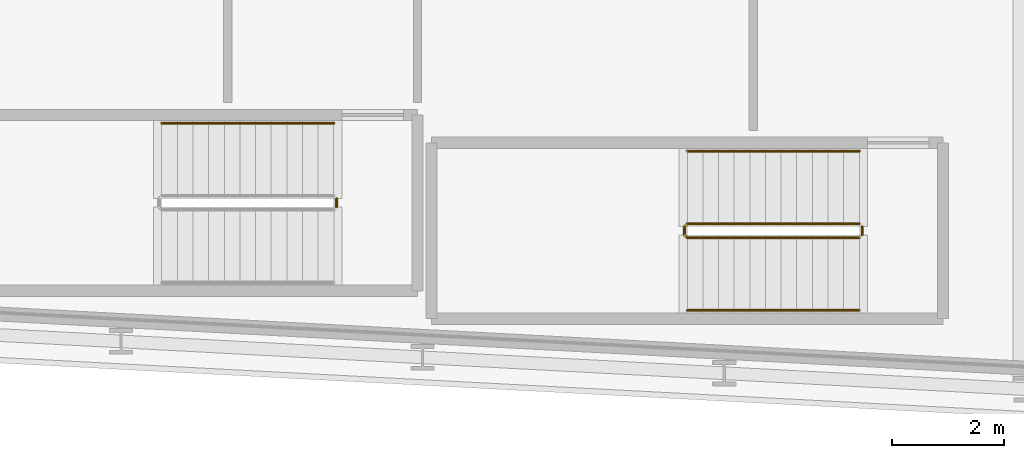
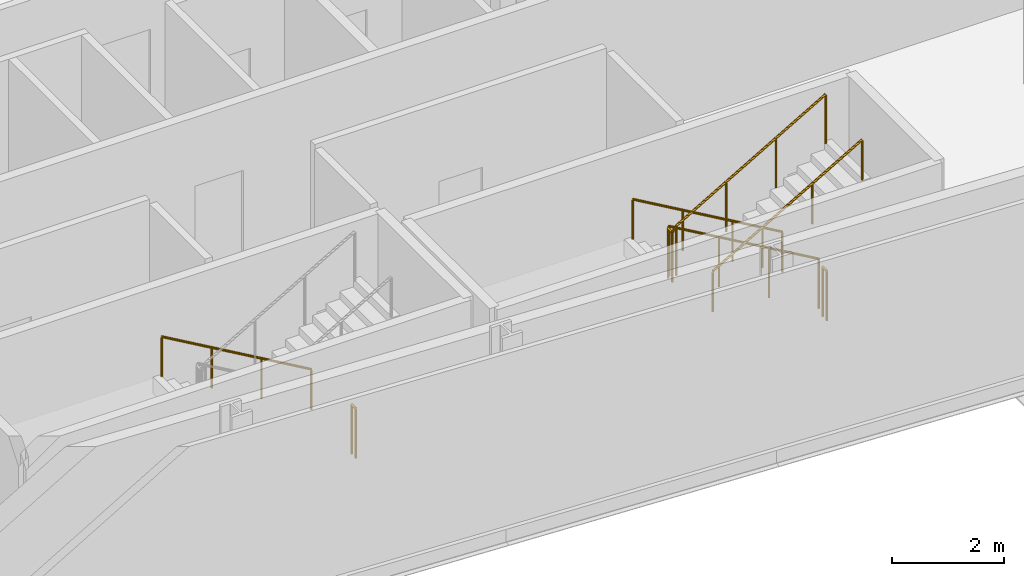
# One storey, part 25 of 28: 6 railings.
"""IFC4 building model written with IfcOpenShell, lengths in metres."""

from ifc_helpers import new_model, si_unit, direction, frame, origin, origin_2d, place, context, subcontext, project, spatial, circle, extrude, material, type_object, element, save


model = new_model("IFC4")

# Units and contexts
model_context = context("Model", 3, precision=1e-05, world=origin(), true_north=direction((0.0, 1.0)))
body_context = subcontext(model_context, "Body", "Model", "MODEL_VIEW")
ifc_project = project(units=[si_unit("LENGTHUNIT", "METRE"), si_unit("AREAUNIT", "SQUARE_METRE"), si_unit("VOLUMEUNIT", "CUBIC_METRE"), si_unit("PLANEANGLEUNIT", "RADIAN"), si_unit("MASSUNIT", "GRAM", prefix="KILO")], contexts=[model_context])

# Site, building, storey
site_placement = place(None, origin())
site = spatial("IfcSite", under=ifc_project, at=site_placement, CompositionType="ELEMENT")
building_placement = place(site_placement, origin())
building = spatial("IfcBuilding", under=site, at=building_placement, Name="Kheshtan School and Residences Tower", CompositionType="ELEMENT")
storey_placement = place(building_placement, frame((0.0, 0.0, 140.89990234375)))
storey = spatial("IfcBuildingStorey", under=building, at=storey_placement, Name="L33", CompositionType="ELEMENT", Elevation=140.89990234375)

# Railings
ifc_material_1 = material(Name="Stainless steel balustrade", Category="steel")
railing_type_1 = type_object("IfcRailingType", Name="Stair guard 1100", PredefinedType="GUARDRAIL", material=ifc_material_1)
railing_1_placement = place(storey_placement, frame((87.820068359375, 23.949951171875, 0.16259765625)))
element("IfcRailing", 1, at=railing_1_placement, inside=storey, type_object=railing_type_1, Name="L33 ST4 stair guard 1", PredefinedType="GUARDRAIL", context=body_context, shape_type="SweptSolid", body=[
    extrude(circle(Radius=0.02392578125, at=origin_2d()), frame((0.0, 0.0, 1.076171875), z_axis=(-0.864890721111, 0.0, 0.501960198159), x_axis=(0.0, -1.0, 0.0)), (0.0, 0.0, 1.0), 3.561279296875),
    extrude(circle(Radius=0.02392578125, at=origin_2d()), frame((-3.080078125, 0.0, 2.86376953125), z_axis=(-0.707106781187, -0.707106781187, 0.0), x_axis=(0.707106781187, -0.707106781187, 0.0)), (0.0, 0.0, 1.0), 0.07080078125),
    extrude(circle(Radius=0.02392578125, at=origin_2d()), frame((-3.130126953125, -0.050048828125, 2.86376953125), z_axis=(0.0, -1.0, 0.0), x_axis=(1.0, 0.0, 0.0)), (0.0, 0.0, 1.0), 0.14990234375),
    extrude(circle(Radius=0.02392578125, at=origin_2d()), frame((-3.130126953125, -0.199951171875, 2.86376953125), z_axis=(0.282583949758, -0.282583949758, 0.916674763849), x_axis=(0.707106781187, 0.707106781187, 0.0)), (0.0, 0.0, 1.0), 0.177001953125),
    extrude(circle(Radius=0.02392578125, at=origin_2d()), frame((-3.080078125, -0.25, 3.02587890625), z_axis=(0.864890721111, 0.0, 0.501960198159), x_axis=(0.0, 1.0, 0.0)), (0.0, 0.0, 1.0), 3.561279296875),
    extrude(circle(Radius=0.02099609375, at=origin_2d()), origin(), (0.0, 0.0, 1.0), 1.052001953125),
    extrude(circle(Radius=0.02099609375, at=origin_2d()), frame((-1.026611328125, 0.0, 0.595947265625)), (0.0, 0.0, 1.0), 1.052001953125),
    extrude(circle(Radius=0.02099609375, at=origin_2d()), frame((-2.053466796875, 0.0, 1.191650390625)), (0.0, 0.0, 1.0), 1.052001953125),
    extrude(circle(Radius=0.02099609375, at=origin_2d()), frame((-3.080078125, 0.0, 1.78759765625)), (0.0, 0.0, 1.0), 1.052001953125),
    extrude(circle(Radius=0.02099609375, at=origin_2d()), frame((-3.130126953125, -0.050048828125, 1.78759765625)), (0.0, 0.0, 1.0), 1.052001953125),
    extrude(circle(Radius=0.02099609375, at=origin_2d()), frame((-3.130126953125, -0.199951171875, 1.78759765625)), (0.0, 0.0, 1.0), 1.052001953125),
    extrude(circle(Radius=0.02099609375, at=origin_2d()), frame((-3.080078125, -0.25, 1.949951171875)), (0.0, 0.0, 1.0), 1.052001953125),
    extrude(circle(Radius=0.02099609375, at=origin_2d()), frame((-2.053466796875, -0.25, 2.5458984375)), (0.0, 0.0, 1.0), 1.052001953125),
    extrude(circle(Radius=0.02099609375, at=origin_2d()), frame((-1.026611328125, -0.25, 3.1416015625)), (0.0, 0.0, 1.0), 1.052001953125),
    extrude(circle(Radius=0.02099609375, at=origin_2d()), frame((0.0, -0.25, 3.737548828125)), (0.0, 0.0, 1.0), 1.052001953125),
])
for number, where, name in (
    (2, (87.8701171875, 23.89990234375, 0.0), "L33 ST4 stair guard 2"),
    (3, (78.4599609375, 24.39990234375, 0.0), "L33 ST5 stair guard 2"),
):
    element("IfcRailing", number, at=place(storey_placement, frame(where)), inside=storey, type_object=railing_type_1, Name=name, PredefinedType="GUARDRAIL", context=body_context, shape_type="SweptSolid", body=[
        extrude(circle(Radius=0.02392578125, at=origin_2d()), frame((0.0, 0.0, 1.076171875), z_axis=(0.0, -1.0, 0.0), x_axis=(1.0, 0.0, 0.0)), (0.0, 0.0, 1.0), 0.14990234375),
        extrude(circle(Radius=0.02099609375, at=origin_2d()), origin(), (0.0, 0.0, 1.0), 1.052001953125),
        extrude(circle(Radius=0.02099609375, at=origin_2d()), frame((0.0, -0.14990234375, 0.0)), (0.0, 0.0, 1.0), 1.052001953125),
    ])
ifc_material_2 = material(Name="Stainless steel handrail", Category="steel")
railing_type_2 = type_object("IfcRailingType", Name="Stair handrail 900", PredefinedType="HANDRAIL", material=ifc_material_2)
railing_2_placement = place(storey_placement, frame((87.820068359375, 25.25, 0.16259765625)))
element("IfcRailing", 4, at=railing_2_placement, inside=storey, type_object=railing_type_2, Name="L33 ST4 stair handrail 1", PredefinedType="HANDRAIL", context=body_context, shape_type="SweptSolid", body=[
    extrude(circle(Radius=0.02392578125, at=origin_2d()), frame((0.0, 0.0, 0.8759765625), z_axis=(-0.864890721111, 0.0, 0.501960198159), x_axis=(0.0, -1.0, 0.0)), (0.0, 0.0, 1.0), 3.561279296875),
    extrude(circle(Radius=0.02099609375, at=origin_2d()), origin(), (0.0, 0.0, 1.0), 0.851806640625),
    extrude(circle(Radius=0.02099609375, at=origin_2d()), frame((-1.026611328125, 0.0, 0.595947265625)), (0.0, 0.0, 1.0), 0.851806640625),
    extrude(circle(Radius=0.02099609375, at=origin_2d()), frame((-2.053466796875, 0.0, 1.191650390625)), (0.0, 0.0, 1.0), 0.851806640625),
    extrude(circle(Radius=0.02099609375, at=origin_2d()), frame((-3.080078125, 0.0, 1.78759765625)), (0.0, 0.0, 1.0), 0.851806640625),
])
railing_3_placement = place(storey_placement, frame((84.739990234375, 22.39990234375, 2.112548828125)))
element("IfcRailing", 5, at=railing_3_placement, inside=storey, type_object=railing_type_2, Name="L33 ST4 stair handrail 2", PredefinedType="HANDRAIL", context=body_context, shape_type="SweptSolid", body=[
    extrude(circle(Radius=0.02392578125, at=origin_2d()), frame((0.0, 0.0, 0.8759765625), z_axis=(0.864890721111, 0.0, 0.501960198159), x_axis=(0.0, 1.0, 0.0)), (0.0, 0.0, 1.0), 3.561279296875),
    extrude(circle(Radius=0.02099609375, at=origin_2d()), origin(), (0.0, 0.0, 1.0), 0.851806640625),
    extrude(circle(Radius=0.02099609375, at=origin_2d()), frame((1.026611328125, 0.0, 0.595947265625)), (0.0, 0.0, 1.0), 0.851806640625),
    extrude(circle(Radius=0.02099609375, at=origin_2d()), frame((2.053466796875, 0.0, 1.191650390625)), (0.0, 0.0, 1.0), 0.851806640625),
    extrude(circle(Radius=0.02099609375, at=origin_2d()), frame((3.080078125, 0.0, 1.78759765625)), (0.0, 0.0, 1.0), 0.851806640625),
])
railing_4_placement = place(storey_placement, frame((78.409912109375, 25.75, 0.16259765625)))
element("IfcRailing", 6, at=railing_4_placement, inside=storey, type_object=railing_type_2, Name="L33 ST5 stair handrail 1", PredefinedType="HANDRAIL", context=body_context, shape_type="SweptSolid", body=[
    extrude(circle(Radius=0.02392578125, at=origin_2d()), frame((0.0, 0.0, 0.8759765625), z_axis=(-0.864873446163, 0.0, 0.501989962173), x_axis=(0.0, -1.0, 0.0)), (0.0, 0.0, 1.0), 3.56103515625),
    extrude(circle(Radius=0.02099609375, at=origin_2d()), origin(), (0.0, 0.0, 1.0), 0.851806640625),
    extrude(circle(Radius=0.02099609375, at=origin_2d()), frame((-1.026611328125, 0.0, 0.595947265625)), (0.0, 0.0, 1.0), 0.851806640625),
    extrude(circle(Radius=0.02099609375, at=origin_2d()), frame((-2.05322265625, 0.0, 1.191650390625)), (0.0, 0.0, 1.0), 0.851806640625),
    extrude(circle(Radius=0.02099609375, at=origin_2d()), frame((-3.079833984375, 0.0, 1.78759765625)), (0.0, 0.0, 1.0), 0.851806640625),
])

save(model, "model.ifc")
